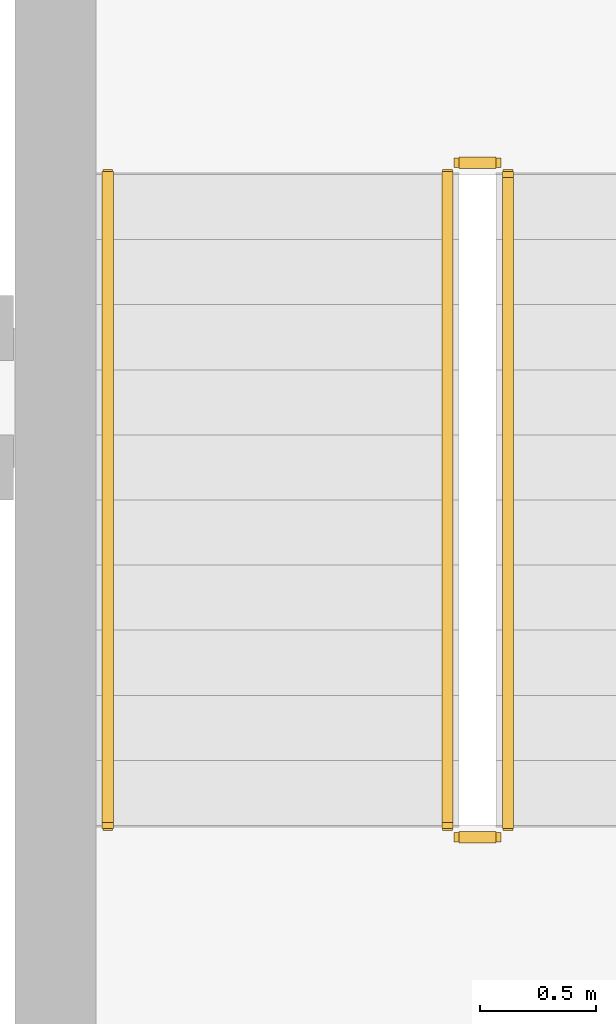
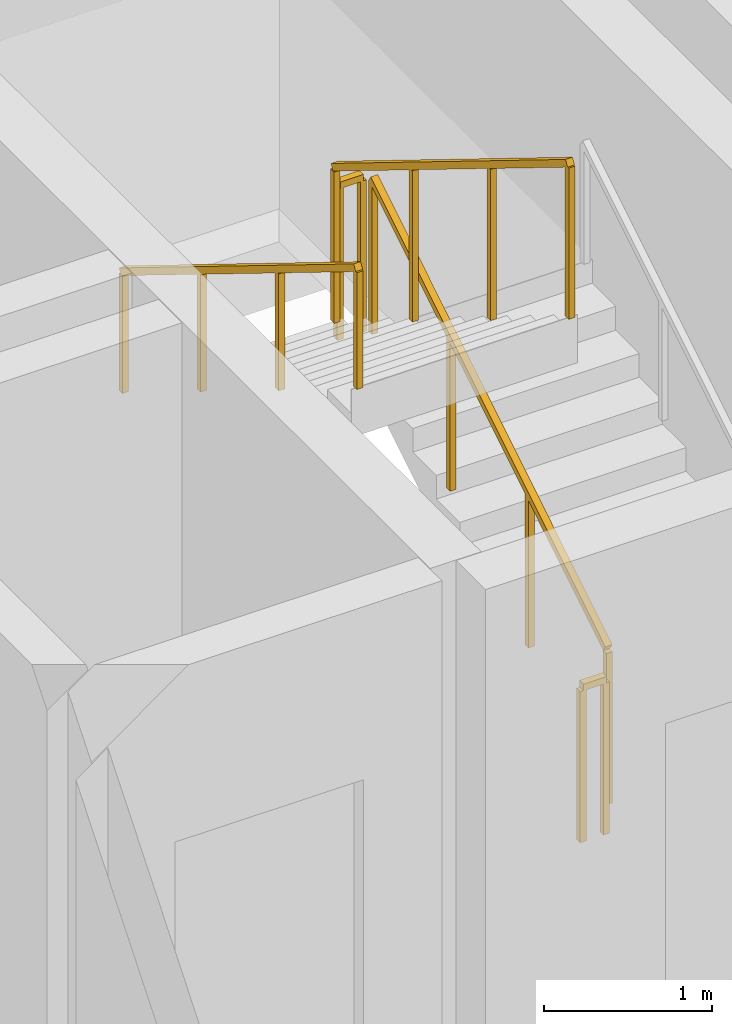
# One storey, part 13 of 14: 5 railings.
"""IFC4 building model written with IfcOpenShell, lengths in metres."""

from ifc_helpers import new_model, si_unit, direction, frame, origin, origin_2d, place, context, subcontext, project, spatial, rectangle, extrude, material, type_object, element, save


model = new_model("IFC4")

# Units and contexts
model_context = context("Model", 3, precision=1e-05, world=origin(), true_north=direction((0.0, 1.0)))
body_context = subcontext(model_context, "Body", "Model", "MODEL_VIEW")
ifc_project = project(units=[si_unit("LENGTHUNIT", "METRE"), si_unit("AREAUNIT", "SQUARE_METRE"), si_unit("VOLUMEUNIT", "CUBIC_METRE"), si_unit("PLANEANGLEUNIT", "RADIAN"), si_unit("MASSUNIT", "GRAM", prefix="KILO")], contexts=[model_context])

# Site, building, storey
site_placement = place(None, origin())
site = spatial("IfcSite", under=ifc_project, at=site_placement, CompositionType="ELEMENT")
building_placement = place(site_placement, origin())
building = spatial("IfcBuilding", under=site, at=building_placement, Name="Kaelvorn Grand Hotel", CompositionType="ELEMENT")
storey_placement = place(building_placement, frame((0.0, 0.0, 209.14990234375)))
storey = spatial("IfcBuildingStorey", under=building, at=storey_placement, Name="L51", CompositionType="ELEMENT", Elevation=209.14990234375)

# Railings
ifc_material = material(Name="Stainless Steel", Category="steel")
railing_type_1 = type_object("IfcRailingType", Name="RL-HANDRAIL-900", PredefinedType="HANDRAIL", material=ifc_material)
railing_1_placement = place(storey_placement, frame((63.3701171875, 44.56005859375, 2.07275390625)))
element("IfcRailing", 1, at=railing_1_placement, inside=storey, type_object=railing_type_1, Name="L51 ST3 stair handrail 2", PredefinedType="HANDRAIL", context=body_context, shape_type="SweptSolid", body=[
    extrude(rectangle(XDim=0.048095703125, YDim=0.048095703125, at=origin_2d()), frame((0.0, 0.0, 0.8759765625), z_axis=(0.0, -0.851089632645, 0.525020415988), x_axis=(1.0, 0.0, 0.0)), (0.0, 0.0, 1.0), 3.2900390625),
    extrude(rectangle(XDim=0.0419921875, YDim=0.0419921875, at=origin_2d()), origin(), (0.0, 0.0, 1.0), 0.851806640625),
    extrude(rectangle(XDim=0.0419921875, YDim=0.0419921875, at=origin_2d()), frame((0.0, -0.933349609375, 0.57568359375)), (0.0, 0.0, 1.0), 0.851806640625),
    extrude(rectangle(XDim=0.0419921875, YDim=0.0419921875, at=origin_2d()), frame((0.0, -1.86669921875, 1.151611328125)), (0.0, 0.0, 1.0), 0.851806640625),
    extrude(rectangle(XDim=0.0419921875, YDim=0.0419921875, at=origin_2d()), frame((0.0, -2.800048828125, 1.727294921875)), (0.0, 0.0, 1.0), 0.851806640625),
])
railing_type_2 = type_object("IfcRailingType", Name="RL-STAIR-GUARD-1150", PredefinedType="BALUSTRADE", material=ifc_material)
railing_2_placement = place(storey_placement, frame((65.090087890625, 41.760009765625, 0.1728515625)))
element("IfcRailing", 2, at=railing_2_placement, inside=storey, type_object=railing_type_2, Name="L51 ST3 stair guard 1", PredefinedType="BALUSTRADE", context=body_context, shape_type="SweptSolid", body=[
    extrude(rectangle(XDim=0.048095703125, YDim=0.048095703125, at=origin_2d()), frame((0.0, 0.0, 1.1259765625), z_axis=(0.0, 0.851089632645, 0.525020415988), x_axis=(-1.0, 0.0, 0.0)), (0.0, 0.0, 1.0), 3.2900390625),
    extrude(rectangle(XDim=0.0419921875, YDim=0.0419921875, at=origin_2d()), origin(), (0.0, 0.0, 1.0), 1.101806640625),
    extrude(rectangle(XDim=0.0419921875, YDim=0.0419921875, at=origin_2d()), frame((0.0, 0.933349609375, 0.57568359375)), (0.0, 0.0, 1.0), 1.101806640625),
    extrude(rectangle(XDim=0.0419921875, YDim=0.0419921875, at=origin_2d()), frame((0.0, 1.86669921875, 1.151611328125)), (0.0, 0.0, 1.0), 1.101806640625),
    extrude(rectangle(XDim=0.0419921875, YDim=0.0419921875, at=origin_2d()), frame((0.0, 2.800048828125, 1.727294921875)), (0.0, 0.0, 1.0), 1.101806640625),
])
railing_3_placement = place(storey_placement, frame((65.0400390625, 44.610107421875, 1.900146484375)))
element("IfcRailing", 3, at=railing_3_placement, inside=storey, type_object=railing_type_2, Name="L51 ST3 stair guard 2", PredefinedType="BALUSTRADE", context=body_context, shape_type="SweptSolid", body=[
    extrude(rectangle(XDim=0.048095703125, YDim=0.048095703125, at=origin_2d()), frame((0.0, 0.0, 1.1259765625), z_axis=(-1.0, 0.0, 0.0), x_axis=(0.0, -1.0, 0.0)), (0.0, 0.0, 1.0), 0.16015625),
    extrude(rectangle(XDim=0.0419921875, YDim=0.0419921875, at=origin_2d()), origin(), (0.0, 0.0, 1.0), 1.101806640625),
    extrude(rectangle(XDim=0.0419921875, YDim=0.0419921875, at=origin_2d()), frame((-0.16015625, 0.0, 0.0)), (0.0, 0.0, 1.0), 1.101806640625),
])
railing_4_placement = place(storey_placement, frame((64.830078125, 44.56005859375, 2.07275390625)))
element("IfcRailing", 4, at=railing_4_placement, inside=storey, type_object=railing_type_2, Name="L51 ST3 stair guard 3", PredefinedType="BALUSTRADE", context=body_context, shape_type="SweptSolid", body=[
    extrude(rectangle(XDim=0.048095703125, YDim=0.048095703125, at=origin_2d()), frame((0.0, 0.0, 1.1259765625), z_axis=(0.0, -0.851089632645, 0.525020415988), x_axis=(1.0, 0.0, 0.0)), (0.0, 0.0, 1.0), 3.2900390625),
    extrude(rectangle(XDim=0.0419921875, YDim=0.0419921875, at=origin_2d()), origin(), (0.0, 0.0, 1.0), 1.101806640625),
    extrude(rectangle(XDim=0.0419921875, YDim=0.0419921875, at=origin_2d()), frame((0.0, -0.933349609375, 0.57568359375)), (0.0, 0.0, 1.0), 1.101806640625),
    extrude(rectangle(XDim=0.0419921875, YDim=0.0419921875, at=origin_2d()), frame((0.0, -1.86669921875, 1.151611328125)), (0.0, 0.0, 1.0), 1.101806640625),
    extrude(rectangle(XDim=0.0419921875, YDim=0.0419921875, at=origin_2d()), frame((0.0, -2.800048828125, 1.727294921875)), (0.0, 0.0, 1.0), 1.101806640625),
])
railing_5_placement = place(storey_placement, frame((65.0400390625, 41.7099609375, 0.0)))
element("IfcRailing", 5, at=railing_5_placement, inside=storey, type_object=railing_type_2, Name="L51 ST3 stair guard 4", PredefinedType="BALUSTRADE", context=body_context, shape_type="SweptSolid", body=[
    extrude(rectangle(XDim=0.048095703125, YDim=0.048095703125, at=origin_2d()), frame((0.0, 0.0, 1.1259765625), z_axis=(-1.0, 0.0, 0.0), x_axis=(0.0, -1.0, 0.0)), (0.0, 0.0, 1.0), 0.16015625),
    extrude(rectangle(XDim=0.0419921875, YDim=0.0419921875, at=origin_2d()), origin(), (0.0, 0.0, 1.0), 1.101806640625),
    extrude(rectangle(XDim=0.0419921875, YDim=0.0419921875, at=origin_2d()), frame((-0.16015625, 0.0, 0.0)), (0.0, 0.0, 1.0), 1.101806640625),
])

save(model, "model.ifc")
